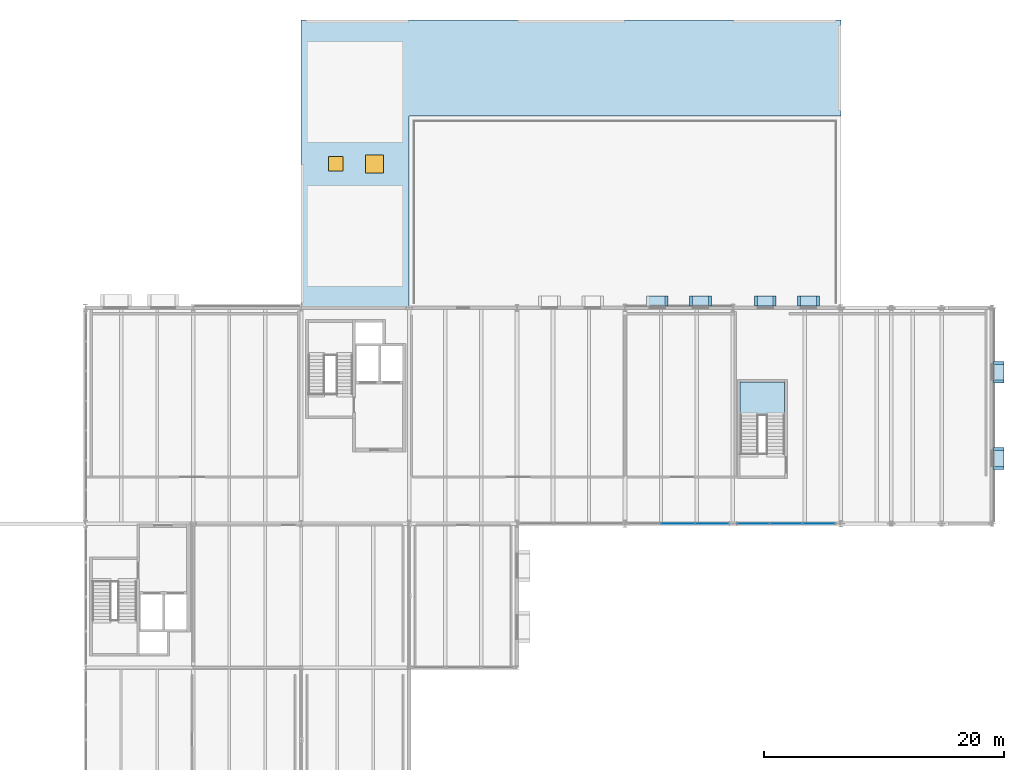
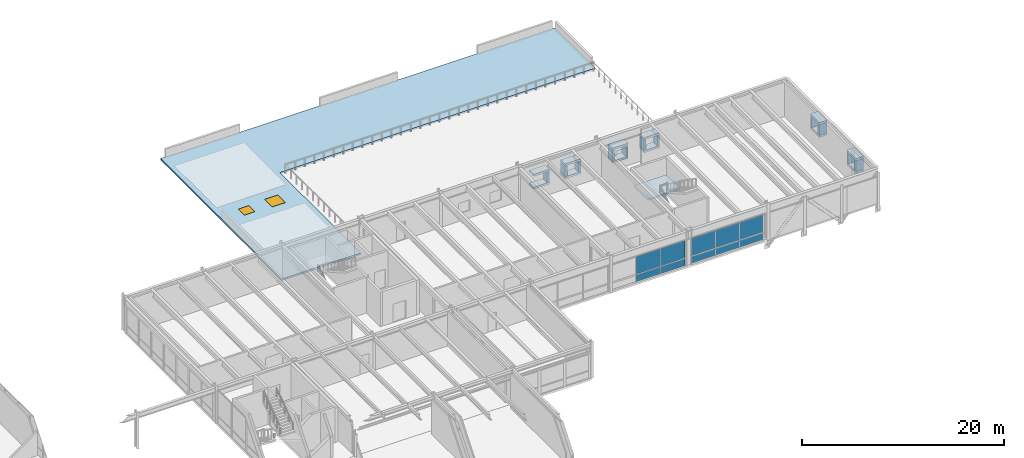
# One storey, part 96 of 115: 33 plates, 2 slabs, 2 windows, 2 openings, 3 elements without a shape of their own.
"""IFC4 building model written with IfcOpenShell, lengths in metres."""

from ifc_helpers import new_model, si_unit, direction, frame, origin, origin_2d, place, context, subcontext, project, spatial, polyline, rectangle, outline, extrude, material, layer, layer_set, type_object, element, fill, aggregate, save


model = new_model("IFC4")

# Units and contexts
model_context = context("Model", 3, precision=1e-05, world=origin(), true_north=direction((0.0, 1.0)))
body_context = subcontext(model_context, "Body", "Model", "MODEL_VIEW")
ifc_project = project(units=[si_unit("LENGTHUNIT", "METRE"), si_unit("AREAUNIT", "SQUARE_METRE"), si_unit("VOLUMEUNIT", "CUBIC_METRE"), si_unit("PLANEANGLEUNIT", "RADIAN"), si_unit("MASSUNIT", "GRAM", prefix="KILO")], contexts=[model_context])

# Site, building, storey
site_placement = place(None, origin())
site = spatial("IfcSite", under=ifc_project, at=site_placement, CompositionType="ELEMENT")
building_placement = place(site_placement, origin())
building = spatial("IfcBuilding", under=site, at=building_placement, Name="Montelvaro Courts of Justice", CompositionType="ELEMENT")
storey_placement = place(building_placement, frame((0.0, 0.0, 9.89990234375)))
storey = spatial("IfcBuildingStorey", under=building, at=storey_placement, Name="L02", CompositionType="ELEMENT", Elevation=9.89990234375)

# Curtain wall, plates
ifc_material_1 = material(Name="Anodised aluminium EN AW-6063", Category="aluminium")
ifc_layer_1 = layer(ifc_material_1, 0.159912109375)
ifc_layer_set_1 = layer_set([ifc_layer_1], Name="Anodised aluminium EN AW-6063")
curtain_wall_type_1 = type_object("IfcCurtainWallType", Name="CurtainWall_21_849x418", PredefinedType="USERDEFINED", material=ifc_layer_set_1)
curtain_wall_1_placement = place(storey_placement, origin())
curtain_wall_1 = element("IfcCurtainWall", 1, at=curtain_wall_1_placement, inside=storey, type_object=curtain_wall_type_1, Name="Curtain Wall CW-21 (L02)", ObjectType="CURTAIN WALL", PredefinedType="USERDEFINED")
ifc_material_2 = material(Name="Low-E solar control double glazing", Category="glass")
ifc_layer_2 = layer(ifc_material_2, 0.028076171875)
ifc_layer_set_2 = layer_set([ifc_layer_2], Name="Low-E solar control double glazing")
plate_type_1 = type_object("IfcPlateType", Name="CurtainWall_Glazed_Panel_28", PredefinedType="CURTAIN_PANEL", material=ifc_layer_set_2)
plate_1_placement = place(storey_placement, frame((148.425048828125, 78.0, 0.0751953125), z_axis=(0.0, 0.0, 1.0), x_axis=(1.0, 0.0, 0.0)))
plate_1 = element("IfcPlate", 2, at=plate_1_placement, type_object=plate_type_1, Name="CW-21 panel 2.1", PredefinedType="CURTAIN_PANEL", context=body_context, shape_type="SweptSolid", body=[
    extrude(rectangle(XDim=2.780029296875, YDim=0.028076171875, at=origin_2d()), origin(), (0.0, 0.0, 1.0), 0.83740234375),
])
plate_2_placement = place(storey_placement, frame((148.425048828125, 78.0, 0.987548828125), z_axis=(0.0, 0.0, 1.0), x_axis=(1.0, 0.0, 0.0)))
plate_2 = element("IfcPlate", 3, at=plate_2_placement, type_object=plate_type_1, Name="CW-21 panel 2.2", PredefinedType="CURTAIN_PANEL", context=body_context, shape_type="SweptSolid", body=[
    extrude(rectangle(XDim=2.780029296875, YDim=0.028076171875, at=origin_2d()), origin(), (0.0, 0.0, 1.0), 2.12451171875),
])
plate_3_placement = place(storey_placement, frame((151.25, 78.0, 0.0751953125), z_axis=(0.0, 0.0, 1.0), x_axis=(1.0, 0.0, 0.0)))
plate_3 = element("IfcPlate", 4, at=plate_3_placement, type_object=plate_type_1, Name="CW-21 panel 3.1", PredefinedType="CURTAIN_PANEL", context=body_context, shape_type="SweptSolid", body=[
    extrude(rectangle(XDim=2.75, YDim=0.028076171875, at=origin_2d()), origin(), (0.0, 0.0, 1.0), 0.83740234375),
])
plate_4_placement = place(storey_placement, frame((151.25, 78.0, 0.987548828125), z_axis=(0.0, 0.0, 1.0), x_axis=(1.0, 0.0, 0.0)))
plate_4 = element("IfcPlate", 5, at=plate_4_placement, type_object=plate_type_1, Name="CW-21 panel 3.2", PredefinedType="CURTAIN_PANEL", context=body_context, shape_type="SweptSolid", body=[
    extrude(rectangle(XDim=2.75, YDim=0.028076171875, at=origin_2d()), origin(), (0.0, 0.0, 1.0), 2.12451171875),
])
aggregate(curtain_wall_1, [plate_1, plate_2, plate_3, plate_4])

ifc_layer_3 = layer(ifc_material_1, 0.159912109375)
ifc_layer_set_3 = layer_set([ifc_layer_3], Name="Anodised aluminium EN AW-6063")
curtain_wall_type_2 = type_object("IfcCurtainWallType", Name="CurtainWall_26_824x418", PredefinedType="USERDEFINED", material=ifc_layer_set_3)
curtain_wall_2_placement = place(storey_placement, origin())
curtain_wall_2 = element("IfcCurtainWall", 6, at=curtain_wall_2_placement, inside=storey, type_object=curtain_wall_type_2, Name="Curtain Wall CW-26 (L02)", ObjectType="CURTAIN WALL", PredefinedType="USERDEFINED")
plate_5_placement = place(storey_placement, frame((154.702392578125, 78.0, 0.0751953125), z_axis=(0.0, 0.0, 1.0), x_axis=(1.0, 0.0, 0.0)))
plate_5 = element("IfcPlate", 7, at=plate_5_placement, type_object=plate_type_1, Name="CW-26 panel 1.1", PredefinedType="CURTAIN_PANEL", context=body_context, shape_type="SweptSolid", body=[
    extrude(rectangle(XDim=2.655029296875, YDim=0.028076171875, at=origin_2d()), origin(), (0.0, 0.0, 1.0), 0.83740234375),
])
plate_6_placement = place(storey_placement, frame((154.702392578125, 78.0, 0.987548828125), z_axis=(0.0, 0.0, 1.0), x_axis=(1.0, 0.0, 0.0)))
plate_6 = element("IfcPlate", 8, at=plate_6_placement, type_object=plate_type_1, Name="CW-26 panel 1.2", PredefinedType="CURTAIN_PANEL", context=body_context, shape_type="SweptSolid", body=[
    extrude(rectangle(XDim=2.655029296875, YDim=0.028076171875, at=origin_2d()), origin(), (0.0, 0.0, 1.0), 2.12451171875),
])
plate_7_placement = place(storey_placement, frame((157.4326171875, 78.0, 0.0751953125), z_axis=(0.0, 0.0, 1.0), x_axis=(1.0, 0.0, 0.0)))
plate_7 = element("IfcPlate", 9, at=plate_7_placement, type_object=plate_type_1, Name="CW-26 panel 2.1", PredefinedType="CURTAIN_PANEL", context=body_context, shape_type="SweptSolid", body=[
    extrude(rectangle(XDim=2.68505859375, YDim=0.028076171875, at=origin_2d()), origin(), (0.0, 0.0, 1.0), 0.83740234375),
])
plate_8_placement = place(storey_placement, frame((157.4326171875, 78.0, 0.987548828125), z_axis=(0.0, 0.0, 1.0), x_axis=(1.0, 0.0, 0.0)))
plate_8 = element("IfcPlate", 10, at=plate_8_placement, type_object=plate_type_1, Name="CW-26 panel 2.2", PredefinedType="CURTAIN_PANEL", context=body_context, shape_type="SweptSolid", body=[
    extrude(rectangle(XDim=2.68505859375, YDim=0.028076171875, at=origin_2d()), origin(), (0.0, 0.0, 1.0), 2.12451171875),
])
plate_9_placement = place(storey_placement, frame((160.16259765625, 78.0, 0.0751953125), z_axis=(0.0, 0.0, 1.0), x_axis=(1.0, 0.0, 0.0)))
plate_9 = element("IfcPlate", 11, at=plate_9_placement, type_object=plate_type_1, Name="CW-26 panel 3.1", PredefinedType="CURTAIN_PANEL", context=body_context, shape_type="SweptSolid", body=[
    extrude(rectangle(XDim=2.655029296875, YDim=0.028076171875, at=origin_2d()), origin(), (0.0, 0.0, 1.0), 0.83740234375),
])
plate_10_placement = place(storey_placement, frame((160.16259765625, 78.0, 0.987548828125), z_axis=(0.0, 0.0, 1.0), x_axis=(1.0, 0.0, 0.0)))
plate_10 = element("IfcPlate", 12, at=plate_10_placement, type_object=plate_type_1, Name="CW-26 panel 3.2", PredefinedType="CURTAIN_PANEL", context=body_context, shape_type="SweptSolid", body=[
    extrude(rectangle(XDim=2.655029296875, YDim=0.028076171875, at=origin_2d()), origin(), (0.0, 0.0, 1.0), 2.12451171875),
])
aggregate(curtain_wall_2, [plate_5, plate_6, plate_7, plate_8, plate_9, plate_10])

# Slab, openings, windows
ifc_material_3 = material(Name="Concrete C35/45", Category="concrete")
ifc_layer_4 = layer(ifc_material_3, 0.199951171875)
ifc_layer_set_4 = layer_set([ifc_layer_4], Name="Concrete C35/45")
slab_type_1 = type_object("IfcSlabType", Name="HeadHouseRoof_200", PredefinedType="ROOF", material=ifc_layer_set_4)
slab_1_placement = place(storey_placement, frame((0.0, 0.0, -0.199951171875)))
slab_1 = element("IfcSlab", 13, at=slab_1_placement, inside=storey, type_object=slab_type_1, Name="Roof Slab SR-06 L02", PredefinedType="ROOF", context=body_context, shape_type="SweptSolid", body=[
    extrude(outline(polyline([(117.0, 96.0), (126.0, 96.0), (126.0, 112.0), (162.0, 112.0), (162.0, 120.0), (117.0, 120.0), (117.0, 96.0)])), origin(), (0.0, 0.0, 1.0), 0.199951171875),
])
opening_1_placement = place(slab_1_placement, frame((119.8798828125, 108.0, -0.014892578125)))
opening_1 = element("IfcOpeningElement", 14, at=opening_1_placement, cuts=slab_1, Name="Opening SK-01", PredefinedType="OPENING", context=body_context, shape_type="SweptSolid", body=[
    extrude(rectangle(XDim=1.199951171875, YDim=1.199951171875, at=origin_2d()), origin(), (0.0, 0.0, 1.0), 0.229736328125),
])
opening_2_placement = place(slab_1_placement, frame((123.1201171875, 108.0, -0.014892578125)))
opening_2 = element("IfcOpeningElement", 15, at=opening_2_placement, cuts=slab_1, Name="Opening SK-02", PredefinedType="OPENING", context=body_context, shape_type="SweptSolid", body=[
    extrude(rectangle(XDim=1.5, YDim=1.5, at=origin_2d()), origin(), (0.0, 0.0, 1.0), 0.229736328125),
])
window_type_1 = type_object("IfcWindowType", Name="Skylight_120x120", PartitioningType="SINGLE_PANEL", PredefinedType="SKYLIGHT", material=ifc_material_2)
window_1_placement = place(slab_1_placement, frame((119.8798828125, 108.0, 0.14990234375)))
window_1 = element("IfcWindow", 16, at=window_1_placement, inside=storey, type_object=window_type_1, Name="Roof Skylight Hatch SK-01-1.1", OverallHeight=1.199951171875, OverallWidth=1.199951171875, PartitioningType="SINGLE_PANEL", PredefinedType="SKYLIGHT", context=body_context, shape_type="SweptSolid", body=[
    extrude(rectangle(XDim=1.199951171875, YDim=1.199951171875, at=origin_2d()), origin(), (0.0, 0.0, 1.0), 0.050048828125),
])
fill(opening_1, window_1)
window_type_2 = type_object("IfcWindowType", Name="Skylight_150x150", PartitioningType="SINGLE_PANEL", PredefinedType="SKYLIGHT", material=ifc_material_2)
window_2_placement = place(slab_1_placement, frame((123.1201171875, 108.0, 0.14990234375)))
window_2 = element("IfcWindow", 17, at=window_2_placement, inside=storey, type_object=window_type_2, Name="Roof Skylight Hatch SK-02-1.2", OverallHeight=1.5, OverallWidth=1.5, PartitioningType="SINGLE_PANEL", PredefinedType="SKYLIGHT", context=body_context, shape_type="SweptSolid", body=[
    extrude(rectangle(XDim=1.5, YDim=1.5, at=origin_2d()), origin(), (0.0, 0.0, 1.0), 0.050048828125),
])
fill(opening_2, window_2)

# Plates
ifc_material_4 = material(Name="White mineral precast concrete C45/55", Category="concrete")
ifc_layer_5 = layer(ifc_material_4, 0.25)
ifc_layer_set_5 = layer_set([ifc_layer_5], Name="White mineral precast concrete C45/55")
plate_type_2 = type_object("IfcPlateType", Name="PrecastSquareFrame_250x850", PredefinedType="SHEET", material=ifc_layer_set_5)
for number, where, z_axis, x_axis, name in (
    (18, (175.169921875, 83.43994140625, 2.2001953125), (0.0, 0.0, 1.0), (0.0, 1.0, 0.0), "Graduated Square Window Frame PF-03 W-L02-097 TOP"),
    (19, (175.169921875, 83.43994140625, 0.650146484375), (0.0, 0.0, 1.0), (0.0, 1.0, 0.0), "Graduated Square Window Frame PF-03 W-L02-097 BOT"),
):
    element("IfcPlate", number, at=place(storey_placement, frame(where, z_axis=z_axis, x_axis=x_axis)), inside=storey, type_object=plate_type_2, Name=name, PredefinedType="SHEET", context=body_context, shape_type="SweptSolid", body=[
        extrude(rectangle(XDim=1.800048828125, YDim=0.860107421875, at=origin_2d()), origin(), (0.0, 0.0, 1.0), 0.25),
    ])
for number, where, z_axis, x_axis, name in (
    (20, (175.169921875, 82.6650390625, 0.89990234375), (0.0, 0.0, 1.0), (0.0, 1.0, 0.0), "Graduated Square Window Frame PF-03 W-L02-097 L"),
    (21, (175.169921875, 84.215087890625, 0.89990234375), (0.0, 0.0, 1.0), (0.0, 1.0, 0.0), "Graduated Square Window Frame PF-03 W-L02-097 R"),
):
    element("IfcPlate", number, at=place(storey_placement, frame(where, z_axis=z_axis, x_axis=x_axis)), inside=storey, type_object=plate_type_2, Name=name, PredefinedType="SHEET", context=body_context, shape_type="SweptSolid", body=[
        extrude(rectangle(XDim=0.25, YDim=0.860107421875, at=origin_2d()), origin(), (0.0, 0.0, 1.0), 1.300048828125),
    ])
for number, where, z_axis, x_axis, name in (
    (22, (175.169921875, 90.639892578125, 2.2001953125), (0.0, 0.0, 1.0), (0.0, 1.0, 0.0), "Graduated Square Window Frame PF-03 W-L02-098 TOP"),
    (23, (175.169921875, 90.639892578125, 0.650146484375), (0.0, 0.0, 1.0), (0.0, 1.0, 0.0), "Graduated Square Window Frame PF-03 W-L02-098 BOT"),
):
    element("IfcPlate", number, at=place(storey_placement, frame(where, z_axis=z_axis, x_axis=x_axis)), inside=storey, type_object=plate_type_2, Name=name, PredefinedType="SHEET", context=body_context, shape_type="SweptSolid", body=[
        extrude(rectangle(XDim=1.800048828125, YDim=0.860107421875, at=origin_2d()), origin(), (0.0, 0.0, 1.0), 0.25),
    ])
for number, where, z_axis, x_axis, name in (
    (24, (175.169921875, 89.864990234375, 0.89990234375), (0.0, 0.0, 1.0), (0.0, 1.0, 0.0), "Graduated Square Window Frame PF-03 W-L02-098 L"),
    (25, (175.169921875, 91.4150390625, 0.89990234375), (0.0, 0.0, 1.0), (0.0, 1.0, 0.0), "Graduated Square Window Frame PF-03 W-L02-098 R"),
):
    element("IfcPlate", number, at=place(storey_placement, frame(where, z_axis=z_axis, x_axis=x_axis)), inside=storey, type_object=plate_type_2, Name=name, PredefinedType="SHEET", context=body_context, shape_type="SweptSolid", body=[
        extrude(rectangle(XDim=0.25, YDim=0.860107421875, at=origin_2d()), origin(), (0.0, 0.0, 1.0), 1.300048828125),
    ])
for number, where, z_axis, x_axis, name in (
    (26, (159.297119140625, 96.570068359375, 2.2001953125), (0.0, 0.0, 1.0), (-1.0, 0.0, 0.0), "Graduated Square Window Frame PF-03 W-L02-099 TOP"),
    (27, (159.297119140625, 96.570068359375, 0.650146484375), (0.0, 0.0, 1.0), (-1.0, 0.0, 0.0), "Graduated Square Window Frame PF-03 W-L02-099 BOT"),
):
    element("IfcPlate", number, at=place(storey_placement, frame(where, z_axis=z_axis, x_axis=x_axis)), inside=storey, type_object=plate_type_2, Name=name, PredefinedType="SHEET", context=body_context, shape_type="SweptSolid", body=[
        extrude(rectangle(XDim=1.800048828125, YDim=0.860107421875, at=origin_2d()), origin(), (0.0, 0.0, 1.0), 0.25),
    ])
for number, where, z_axis, x_axis, name in (
    (28, (160.072021484375, 96.570068359375, 0.89990234375), (0.0, 0.0, 1.0), (-1.0, 0.0, 0.0), "Graduated Square Window Frame PF-03 W-L02-099 L"),
    (29, (158.52197265625, 96.570068359375, 0.89990234375), (0.0, 0.0, 1.0), (-1.0, 0.0, 0.0), "Graduated Square Window Frame PF-03 W-L02-099 R"),
):
    element("IfcPlate", number, at=place(storey_placement, frame(where, z_axis=z_axis, x_axis=x_axis)), inside=storey, type_object=plate_type_2, Name=name, PredefinedType="SHEET", context=body_context, shape_type="SweptSolid", body=[
        extrude(rectangle(XDim=0.25, YDim=0.860107421875, at=origin_2d()), origin(), (0.0, 0.0, 1.0), 1.300048828125),
    ])
for number, where, z_axis, x_axis, name in (
    (30, (155.702880859375, 96.570068359375, 2.2001953125), (0.0, 0.0, 1.0), (-1.0, 0.0, 0.0), "Graduated Square Window Frame PF-03 W-L02-100 TOP"),
    (31, (155.702880859375, 96.570068359375, 0.650146484375), (0.0, 0.0, 1.0), (-1.0, 0.0, 0.0), "Graduated Square Window Frame PF-03 W-L02-100 BOT"),
):
    element("IfcPlate", number, at=place(storey_placement, frame(where, z_axis=z_axis, x_axis=x_axis)), inside=storey, type_object=plate_type_2, Name=name, PredefinedType="SHEET", context=body_context, shape_type="SweptSolid", body=[
        extrude(rectangle(XDim=1.800048828125, YDim=0.860107421875, at=origin_2d()), origin(), (0.0, 0.0, 1.0), 0.25),
    ])
for number, where, z_axis, x_axis, name in (
    (32, (156.47802734375, 96.570068359375, 0.89990234375), (0.0, 0.0, 1.0), (-1.0, 0.0, 0.0), "Graduated Square Window Frame PF-03 W-L02-100 L"),
    (33, (154.927978515625, 96.570068359375, 0.89990234375), (0.0, 0.0, 1.0), (-1.0, 0.0, 0.0), "Graduated Square Window Frame PF-03 W-L02-100 R"),
):
    element("IfcPlate", number, at=place(storey_placement, frame(where, z_axis=z_axis, x_axis=x_axis)), inside=storey, type_object=plate_type_2, Name=name, PredefinedType="SHEET", context=body_context, shape_type="SweptSolid", body=[
        extrude(rectangle(XDim=0.25, YDim=0.860107421875, at=origin_2d()), origin(), (0.0, 0.0, 1.0), 1.300048828125),
    ])
for number, where, z_axis, x_axis, name in (
    (34, (150.297119140625, 96.570068359375, 2.2001953125), (0.0, 0.0, 1.0), (-1.0, 0.0, 0.0), "Graduated Square Window Frame PF-03 W-L02-101 TOP"),
    (35, (150.297119140625, 96.570068359375, 0.650146484375), (0.0, 0.0, 1.0), (-1.0, 0.0, 0.0), "Graduated Square Window Frame PF-03 W-L02-101 BOT"),
):
    element("IfcPlate", number, at=place(storey_placement, frame(where, z_axis=z_axis, x_axis=x_axis)), inside=storey, type_object=plate_type_2, Name=name, PredefinedType="SHEET", context=body_context, shape_type="SweptSolid", body=[
        extrude(rectangle(XDim=1.800048828125, YDim=0.860107421875, at=origin_2d()), origin(), (0.0, 0.0, 1.0), 0.25),
    ])
for number, where, z_axis, x_axis, name in (
    (36, (151.072021484375, 96.570068359375, 0.89990234375), (0.0, 0.0, 1.0), (-1.0, 0.0, 0.0), "Graduated Square Window Frame PF-03 W-L02-101 L"),
    (37, (149.52197265625, 96.570068359375, 0.89990234375), (0.0, 0.0, 1.0), (-1.0, 0.0, 0.0), "Graduated Square Window Frame PF-03 W-L02-101 R"),
):
    element("IfcPlate", number, at=place(storey_placement, frame(where, z_axis=z_axis, x_axis=x_axis)), inside=storey, type_object=plate_type_2, Name=name, PredefinedType="SHEET", context=body_context, shape_type="SweptSolid", body=[
        extrude(rectangle(XDim=0.25, YDim=0.860107421875, at=origin_2d()), origin(), (0.0, 0.0, 1.0), 1.300048828125),
    ])
for number, where, z_axis, x_axis, name in (
    (38, (146.702880859375, 96.570068359375, 2.2001953125), (0.0, 0.0, 1.0), (-1.0, 0.0, 0.0), "Graduated Square Window Frame PF-03 W-L02-102 TOP"),
    (39, (146.702880859375, 96.570068359375, 0.650146484375), (0.0, 0.0, 1.0), (-1.0, 0.0, 0.0), "Graduated Square Window Frame PF-03 W-L02-102 BOT"),
):
    element("IfcPlate", number, at=place(storey_placement, frame(where, z_axis=z_axis, x_axis=x_axis)), inside=storey, type_object=plate_type_2, Name=name, PredefinedType="SHEET", context=body_context, shape_type="SweptSolid", body=[
        extrude(rectangle(XDim=1.800048828125, YDim=0.860107421875, at=origin_2d()), origin(), (0.0, 0.0, 1.0), 0.25),
    ])
plate_11_placement = place(storey_placement, frame((147.47802734375, 96.570068359375, 0.89990234375), z_axis=(0.0, 0.0, 1.0), x_axis=(-1.0, 0.0, 0.0)))
element("IfcPlate", 40, at=plate_11_placement, inside=storey, type_object=plate_type_2, Name="Graduated Square Window Frame PF-03 W-L02-102 L", PredefinedType="SHEET", context=body_context, shape_type="SweptSolid", body=[
    extrude(rectangle(XDim=0.25, YDim=0.860107421875, at=origin_2d()), origin(), (0.0, 0.0, 1.0), 1.300048828125),
])

# Stair, slab
stair_type = type_object("IfcStairType", Name="ProtectedStair_150", PredefinedType="HALF_TURN_STAIR", material=ifc_material_3)
stair_placement = place(storey_placement, origin())
stair = element("IfcStair", 41, at=stair_placement, inside=storey, type_object=stair_type, Name="Protected Stair ST-V2-L02", PredefinedType="HALF_TURN_STAIR")
ifc_layer_6 = layer(ifc_material_3, 0.199951171875)
ifc_layer_set_6 = layer_set([ifc_layer_6], Name="Concrete C35/45")
slab_type_2 = type_object("IfcSlabType", Name="StairLanding_200", PredefinedType="LANDING", material=ifc_layer_set_6)
slab_2_placement = place(storey_placement, frame((0.0, 0.0, 2.050048828125)))
slab_2 = element("IfcSlab", 42, at=slab_2_placement, type_object=slab_type_2, Name="ST-V2-L02 landing 1", PredefinedType="LANDING", context=body_context, shape_type="SweptSolid", body=[
    extrude(outline(polyline([(153.60009765625, 87.06494140625), (157.300048828125, 87.06494140625), (157.300048828125, 89.800048828125), (153.60009765625, 89.800048828125), (153.60009765625, 87.06494140625)])), origin(), (0.0, 0.0, 1.0), 0.199951171875),
])
aggregate(stair, [slab_2])

save(model, "model.ifc")
